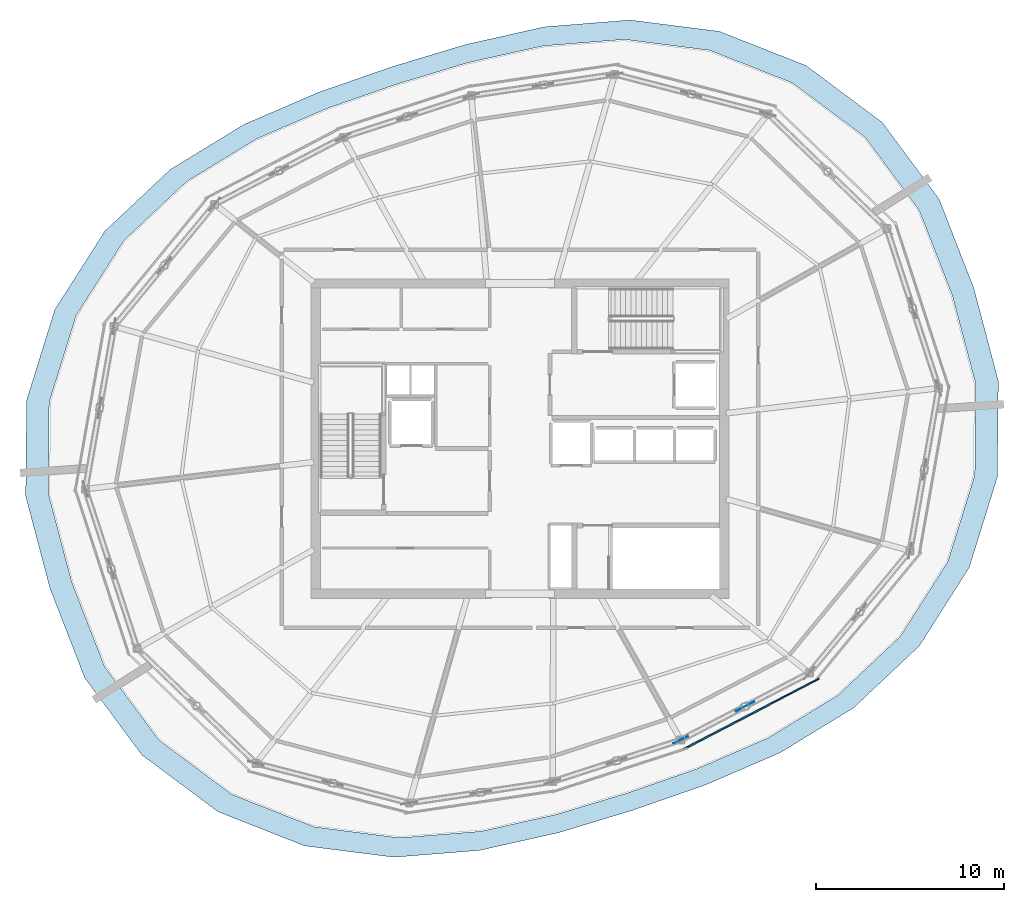
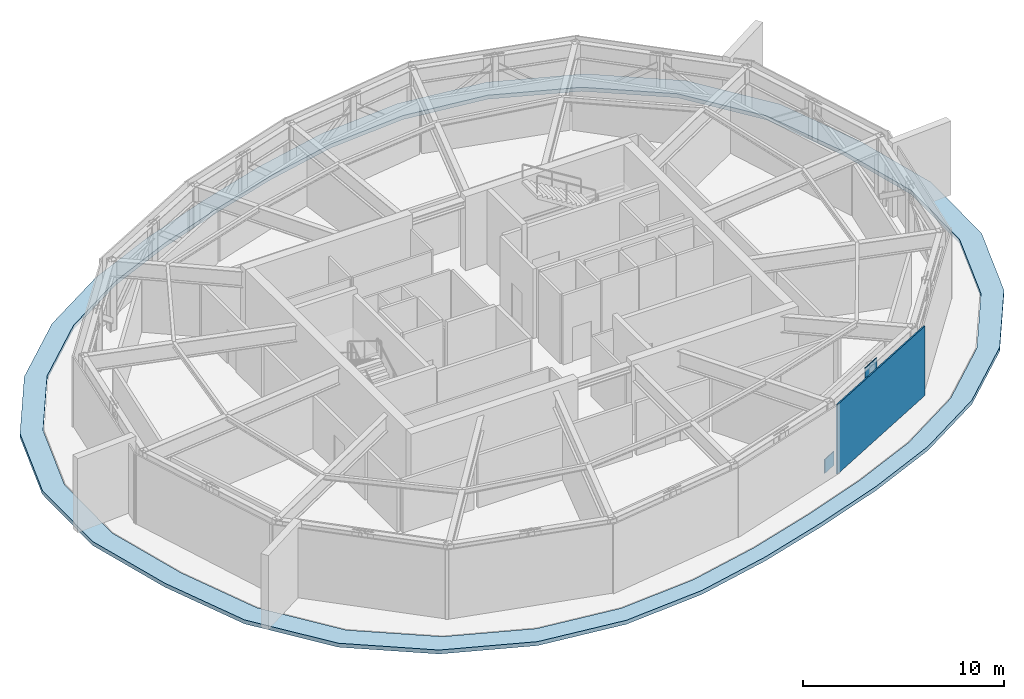
# One storey, part 9 of 14: 3 plates, 1 slab.
"""IFC4 building model written with IfcOpenShell, lengths in metres."""

from ifc_helpers import new_model, si_unit, direction, frame, origin, origin_2d, place, context, subcontext, project, spatial, polyline, rectangle, outline, extrude, material, layer, layer_set, type_object, element, save


model = new_model("IFC4")

# Units and contexts
model_context = context("Model", 3, precision=1e-05, world=origin(), true_north=direction((0.0, 1.0)))
body_context = subcontext(model_context, "Body", "Model", "MODEL_VIEW")
ifc_project = project(units=[si_unit("LENGTHUNIT", "METRE"), si_unit("AREAUNIT", "SQUARE_METRE"), si_unit("VOLUMEUNIT", "CUBIC_METRE"), si_unit("PLANEANGLEUNIT", "RADIAN"), si_unit("MASSUNIT", "GRAM", prefix="KILO")], contexts=[model_context])

# Site, building, storey
site_placement = place(None, origin())
site = spatial("IfcSite", under=ifc_project, at=site_placement, CompositionType="ELEMENT")
building_placement = place(site_placement, origin())
building = spatial("IfcBuilding", under=site, at=building_placement, Name="Kazma Halo Residences", CompositionType="ELEMENT")
storey_placement = place(building_placement, frame((0.0, 0.0, 351.5)))
storey = spatial("IfcBuildingStorey", under=building, at=storey_placement, Name="L88", CompositionType="ELEMENT", Elevation=351.5)

# Plates
ifc_material_1 = material(Name="Aluminium AW-6063 T6 Perforated Acoustic Louvre Screen", Category="aluminium")
ifc_layer_1 = layer(ifc_material_1, 0.080078125)
ifc_layer_set_1 = layer_set([ifc_layer_1], Name="Aluminium AW-6063 T6 Perforated Acoustic Louvre Screen")
plate_type_1 = type_object("IfcPlateType", Name="PLT-CROWN-LOUVRE", PredefinedType="SHEET", material=ifc_layer_set_1)
plate_1_placement = place(storey_placement, frame((60.737060546875, 27.359619140625, 0.0), z_axis=(0.0, 0.0, 1.0), x_axis=(0.886949727325, 0.461865977529, 0.0)))
element("IfcPlate", 1, at=plate_1_placement, inside=storey, type_object=plate_type_1, Name="L88 pale-metal acoustic louvre screen 13", PredefinedType="SHEET", context=body_context, shape_type="SweptSolid", body=[
    extrude(rectangle(XDim=8.110107421875, YDim=0.080078125, at=origin_2d()), origin(), (0.0, 0.0, 1.0), 4.219970703125),
])
ifc_material_2 = material(Name="Steel S355", Category="steel")
ifc_layer_2 = layer(ifc_material_2, 0.0400390625)
ifc_layer_set_2 = layer_set([ifc_layer_2], Name="Steel S355")
plate_type_2 = type_object("IfcPlateType", Name="PLT-GUSSET-40", PredefinedType="SHEET", material=ifc_layer_set_2)
plate_2_placement = place(storey_placement, frame((60.395751953125, 27.751708984375, 3.14990234375), z_axis=(0.0, 0.0, 1.0), x_axis=(0.886949727325, 0.461865977529, 0.0)))
element("IfcPlate", 2, at=plate_2_placement, inside=storey, type_object=plate_type_2, Name="L88 belt-truss apex gusset plate 13", PredefinedType="SHEET", context=body_context, shape_type="SweptSolid", body=[
    extrude(rectangle(XDim=1.10009765625, YDim=0.0400390625, at=origin_2d()), origin(), (0.0, 0.0, 1.0), 1.10009765625),
])
plate_3_placement = place(storey_placement, frame((56.9765625, 25.97119140625, 0.054931640625), z_axis=(0.0, 0.0, 1.0), x_axis=(0.886949727325, 0.461865977529, 0.0)))
element("IfcPlate", 3, at=plate_3_placement, inside=storey, type_object=plate_type_2, Name="L88 belt-truss column gusset plate 13", PredefinedType="SHEET", context=body_context, shape_type="SweptSolid", body=[
    extrude(rectangle(XDim=0.85009765625, YDim=0.0400390625, at=origin_2d()), origin(), (0.0, 0.0, 1.0), 0.85009765625),
])

# Slab
ifc_material_3 = material(Name="Concrete C50/60", Category="concrete")
ifc_layer_3 = layer(ifc_material_3, 0.239990234375)
ifc_layer_set_3 = layer_set([ifc_layer_3], Name="Concrete C50/60")
slab_type = type_object("IfcSlabType", Name="SLB-ROOF-240", PredefinedType="ROOF", material=ifc_layer_set_3)
slab_placement = place(storey_placement, frame((0.0, 0.0, -0.239990234375)))
element("IfcSlab", 4, at=slab_placement, inside=storey, type_object=slab_type, Name="L88 extensive green roof maintenance apron", PredefinedType="ROOF", context=body_context, shape_type="SweptSolid", body=[
    extrude(outline(polyline([(72.573486328125, 49.984375), (70.730224609375, 54.7294921875), (67.697265625, 58.822998046875), (63.6455078125, 61.84619140625), (59.037841796875, 63.6630859375), (54.280517578125, 64.269287109375), (49.723876953125, 63.90478515625), (45.51904296875, 62.9609375), (41.576416015625, 61.76953125), (37.6865234375, 60.416015625), (33.72998046875, 58.7080078125), (29.829345703125, 56.32470703125), (26.3369140625, 53.037841796875), (23.677001953125, 48.85986328125), (22.17626953125, 44.032470703125), (22.12841796875, 38.93798828125), (23.426513671875, 34.015625), (25.269775390625, 29.2705078125), (28.302734375, 25.177001953125), (32.3544921875, 22.15380859375), (36.962158203125, 20.3369140625), (41.719482421875, 19.730712890625), (46.276123046875, 20.09521484375), (50.48095703125, 21.0390625), (54.423583984375, 22.23046875), (58.3134765625, 23.583984375), (62.27001953125, 25.2919921875), (66.170654296875, 27.67529296875), (69.6630859375, 30.962158203125), (72.322998046875, 35.14013671875), (73.82373046875, 39.967529296875), (73.87158203125, 45.06201171875), (72.573486328125, 49.984375)]), holes=[polyline([(71.42236328125, 49.6103515625), (69.6650390625, 54.133056640625), (66.7744140625, 58.034912109375), (62.913330078125, 60.91748046875), (58.522216796875, 62.65087890625), (53.98779296875, 63.231201171875), (49.643798828125, 62.88623046875), (45.63427734375, 61.98828125), (41.87451171875, 60.852783203125), (38.165283203125, 59.561279296875), (34.3935546875, 57.93115234375), (30.676513671875, 55.65673828125), (27.34912109375, 52.522216796875), (24.8154296875, 48.538818359375), (23.385986328125, 43.937255859375), (23.3408203125, 39.081298828125), (24.57763671875, 34.3896484375), (26.3349609375, 29.866943359375), (29.2255859375, 25.965087890625), (33.086669921875, 23.08251953125), (37.477783203125, 21.34912109375), (42.01220703125, 20.768798828125), (46.356201171875, 21.11376953125), (50.36572265625, 22.01171875), (54.12548828125, 23.147216796875), (57.834716796875, 24.438720703125), (61.6064453125, 26.06884765625), (65.323486328125, 28.34326171875), (68.65087890625, 31.477783203125), (71.1845703125, 35.461181640625), (72.614013671875, 40.062744140625), (72.6591796875, 44.918701171875), (71.42236328125, 49.6103515625)])]), origin(), (0.0, 0.0, 1.0), 0.239990234375),
])

save(model, "model.ifc")
